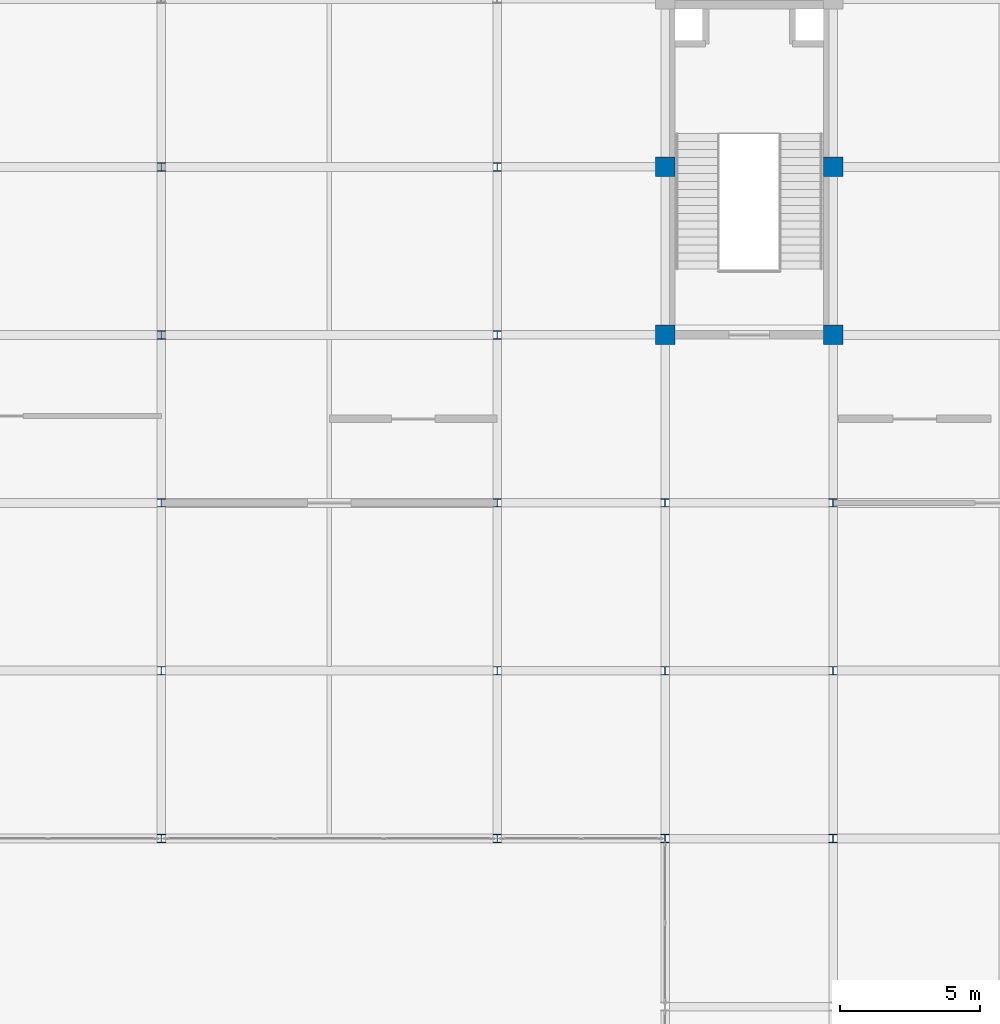
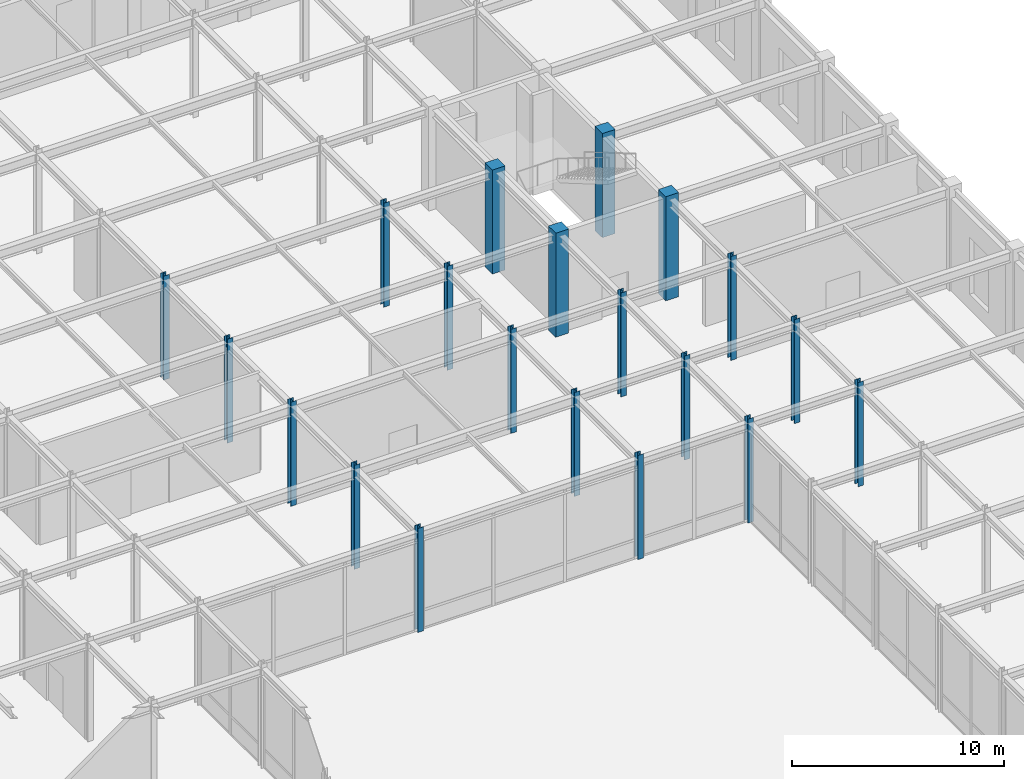
# One storey, part 24 of 108: 20 columns.
"""IFC4 building model written with IfcOpenShell, lengths in metres."""

from ifc_helpers import new_model, si_unit, direction, frame, origin, origin_2d, place, context, subcontext, project, spatial, rectangle, i_section, extrude, material, material_profile, profile_set, type_object, element, save


model = new_model("IFC4")

# Units and contexts
model_context = context("Model", 3, precision=1e-05, world=origin(), true_north=direction((0.0, 1.0)))
body_context = subcontext(model_context, "Body", "Model", "MODEL_VIEW")
ifc_project = project(units=[si_unit("LENGTHUNIT", "METRE"), si_unit("AREAUNIT", "SQUARE_METRE"), si_unit("VOLUMEUNIT", "CUBIC_METRE"), si_unit("PLANEANGLEUNIT", "RADIAN"), si_unit("MASSUNIT", "GRAM", prefix="KILO")], contexts=[model_context])

# Site, building, storey
site_placement = place(None, origin())
site = spatial("IfcSite", under=ifc_project, at=site_placement, CompositionType="ELEMENT")
building_placement = place(site_placement, origin())
building = spatial("IfcBuilding", under=site, at=building_placement, Name="Zlatovratsky Civic Hall", CompositionType="ELEMENT")
storey_placement = place(building_placement, frame((0.0, 0.0, 6.0)))
storey = spatial("IfcBuildingStorey", under=building, at=storey_placement, Name="L02", CompositionType="ELEMENT", Elevation=6.0)

# Columns
ifc_material_1 = material(Name="Concrete C35/45 (B40)", Category="concrete")
ifc_material_profile_1 = material_profile(ifc_material_1, rectangle(XDim=0.699951171875, YDim=0.699951171875, at=origin_2d()), Name="RC 700x700")
ifc_profile_set_1 = profile_set([ifc_material_profile_1], Name="Concrete C35/45 (B40)")
column_type_1 = type_object("IfcColumnType", Name="Col_CorePier_RC700", PredefinedType="COLUMN", material=ifc_profile_set_1)
for number, where, z_axis, x_axis, name in (
    (1, (150.0, 84.0, 0.0), (0.0, 0.0, 1.0), (1.0, 0.0, 0.0), "CL-1071"),
    (2, (156.0, 84.0, 0.0), (0.0, 0.0, 1.0), (1.0, 0.0, 0.0), "CL-1072"),
    (3, (150.0, 90.0, 0.0), (0.0, 0.0, 1.0), (1.0, 0.0, 0.0), "CL-1094"),
    (4, (156.0, 90.0, 0.0), (0.0, 0.0, 1.0), (1.0, 0.0, 0.0), "CL-1095"),
):
    element("IfcColumn", number, at=place(storey_placement, frame(where, z_axis=z_axis, x_axis=x_axis)), inside=storey, type_object=column_type_1, Name=name, PredefinedType="COLUMN", context=body_context, shape_type="SweptSolid", body=[
        extrude(rectangle(XDim=0.699951171875, YDim=0.699951171875, at=origin_2d()), origin(), (0.0, 0.0, 1.0), 6.0),
    ])
ifc_material_2 = material(Name="Steel S355", Category="steel")
ifc_material_profile_2 = material_profile(ifc_material_2, i_section(OverallWidth=0.300048828125, OverallDepth=0.300048828125, WebThickness=0.010009765625, FlangeThickness=0.014892578125, FilletRadius=0.01806640625, at=origin_2d()), Name="30K2")
ifc_profile_set_2 = profile_set([ifc_material_profile_2], Name="Steel S355")
column_type_2 = type_object("IfcColumnType", Name="Col_Steel_30K2", PredefinedType="COLUMN", material=ifc_profile_set_2)
for number, where, z_axis, x_axis, name in (
    (5, (132.0, 66.0, 0.0), (0.0, 0.0, 1.0), (1.0, 0.0, 0.0), "CL-1000"),
    (6, (144.0, 66.0, 0.0), (0.0, 0.0, 1.0), (1.0, 0.0, 0.0), "CL-1001"),
    (7, (150.0, 66.0, 0.0), (0.0, 0.0, 1.0), (1.0, 0.0, 0.0), "CL-1002"),
    (8, (156.0, 66.0, 0.0), (0.0, 0.0, 1.0), (1.0, 0.0, 0.0), "CL-1003"),
    (9, (132.0, 72.0, 0.0), (0.0, 0.0, 1.0), (1.0, 0.0, 0.0), "CL-1023"),
    (10, (144.0, 72.0, 0.0), (0.0, 0.0, 1.0), (1.0, 0.0, 0.0), "CL-1024"),
    (11, (150.0, 72.0, 0.0), (0.0, 0.0, 1.0), (1.0, 0.0, 0.0), "CL-1025"),
    (12, (156.0, 72.0, 0.0), (0.0, 0.0, 1.0), (1.0, 0.0, 0.0), "CL-1026"),
    (13, (132.0, 78.0, 0.0), (0.0, 0.0, 1.0), (1.0, 0.0, 0.0), "CL-1046"),
    (14, (144.0, 78.0, 0.0), (0.0, 0.0, 1.0), (1.0, 0.0, 0.0), "CL-1047"),
    (15, (150.0, 78.0, 0.0), (0.0, 0.0, 1.0), (1.0, 0.0, 0.0), "CL-1048"),
    (16, (156.0, 78.0, 0.0), (0.0, 0.0, 1.0), (1.0, 0.0, 0.0), "CL-1049"),
    (17, (132.0, 84.0, 0.0), (0.0, 0.0, 1.0), (1.0, 0.0, 0.0), "CL-1069"),
    (18, (144.0, 84.0, 0.0), (0.0, 0.0, 1.0), (1.0, 0.0, 0.0), "CL-1070"),
    (19, (132.0, 90.0, 0.0), (0.0, 0.0, 1.0), (1.0, 0.0, 0.0), "CL-1092"),
    (20, (144.0, 90.0, 0.0), (0.0, 0.0, 1.0), (1.0, 0.0, 0.0), "CL-1093"),
):
    element("IfcColumn", number, at=place(storey_placement, frame(where, z_axis=z_axis, x_axis=x_axis)), inside=storey, type_object=column_type_2, Name=name, PredefinedType="COLUMN", context=body_context, shape_type="SweptSolid", body=[
        extrude(i_section(OverallWidth=0.300048828125, OverallDepth=0.300048828125, WebThickness=0.010009765625, FlangeThickness=0.014892578125, FilletRadius=0.01806640625, at=origin_2d()), origin(), (0.0, 0.0, 1.0), 6.0),
    ])

save(model, "model.ifc")
